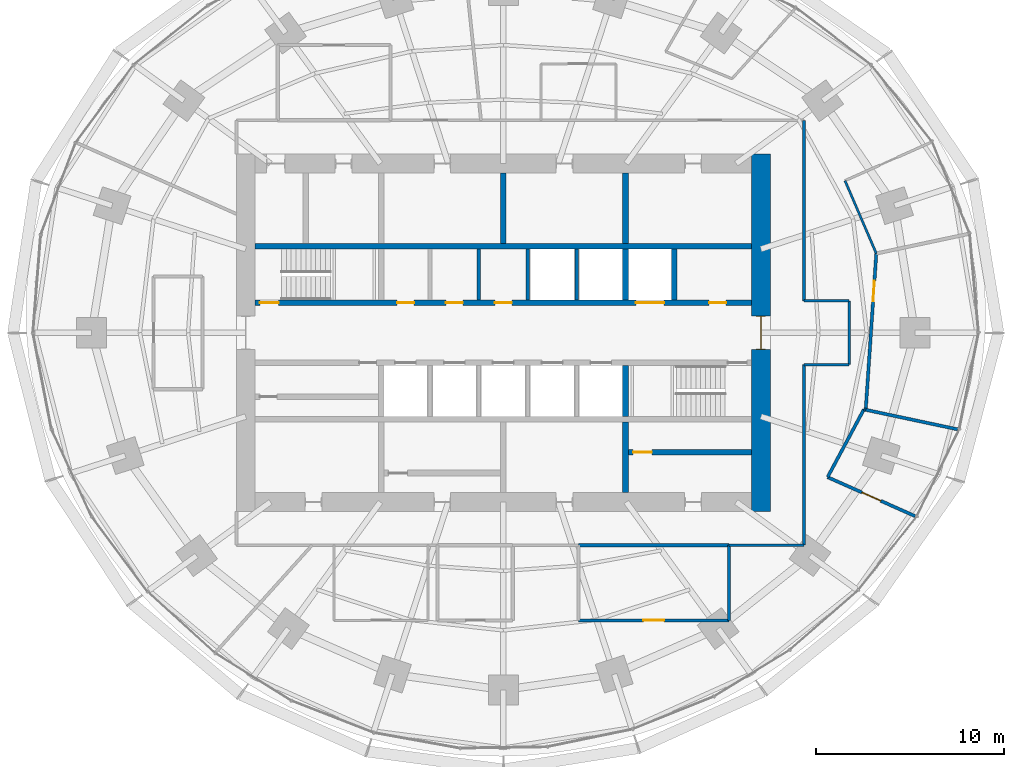
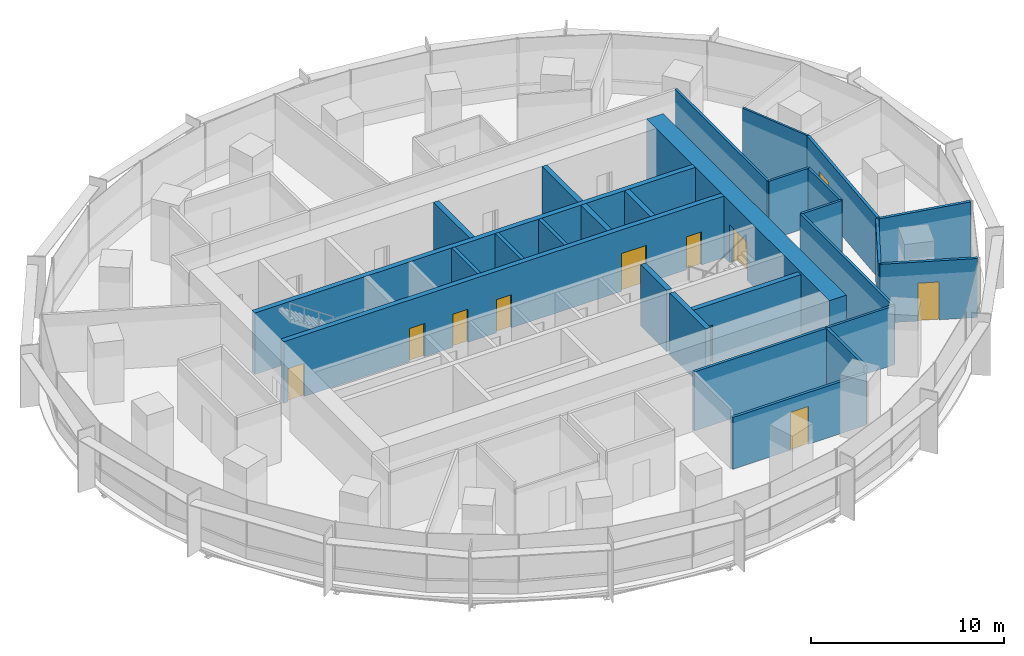
# One storey, part 11 of 14: 28 walls, 11 doors, 11 openings.
"""IFC4 building model written with IfcOpenShell, lengths in metres."""

from ifc_helpers import new_model, si_unit, direction, frame, frame_2d, origin, place, context, subcontext, project, spatial, rectangle, extrude, material, layer, layer_set, type_object, element, fill, save


model = new_model("IFC4")

# Units and contexts
model_context = context("Model", 3, precision=1e-05, world=origin(), true_north=direction((0.0, 1.0)))
body_context = subcontext(model_context, "Body", "Model", "MODEL_VIEW")
ifc_project = project(units=[si_unit("LENGTHUNIT", "METRE"), si_unit("AREAUNIT", "SQUARE_METRE"), si_unit("VOLUMEUNIT", "CUBIC_METRE"), si_unit("PLANEANGLEUNIT", "RADIAN"), si_unit("MASSUNIT", "GRAM", prefix="KILO")], contexts=[model_context])

# Site, building, storey
site_placement = place(None, origin())
site = spatial("IfcSite", under=ifc_project, at=site_placement, CompositionType="ELEMENT")
building_placement = place(site_placement, origin())
building = spatial("IfcBuilding", under=site, at=building_placement, Name="Marramba Exchange Tower", CompositionType="ELEMENT")
storey_placement = place(building_placement, frame((0.0, 0.0, 131.39990234375)))
storey = spatial("IfcBuildingStorey", under=building, at=storey_placement, Name="L31", CompositionType="ELEMENT", Elevation=131.39990234375)

# Wall, opening, door
ifc_material_1 = material(Name="Plasterboard on staggered double steel studs, acoustic insulation", Category="steel")
ifc_layer_1 = layer(ifc_material_1, 0.169921875)
ifc_layer_set_1 = layer_set([ifc_layer_1], Name="Acoustic partition 170")
wall_type_1 = type_object("IfcWallType", Name="Acoustic partition 170", PredefinedType="PARTITIONING", material=ifc_layer_set_1)
wall_1_placement = place(storey_placement, frame((4.0, -15.300048828125, 0.0), z_axis=(0.0, 0.0, 1.0), x_axis=(1.0, 0.0, 0.0)))
wall_1 = element("IfcWall", 1, at=wall_1_placement, inside=storey, type_object=wall_type_1, Name="Acoustic partition L31 14", PredefinedType="PARTITIONING", context=body_context, shape_type="SweptSolid", body=[
    extrude(rectangle(XDim=8.0, YDim=0.169921875, at=frame_2d((4.0, 0.0))), origin(), (0.0, 0.0, 1.0), 3.2861328125),
])
opening_1_placement = place(wall_1_placement, frame((3.449951171875, 0.0, 0.0)))
opening_1 = element("IfcOpeningElement", 2, at=opening_1_placement, cuts=wall_1, Name="Opening D15", PredefinedType="OPENING", context=body_context, shape_type="SweptSolid", body=[
    extrude(rectangle(XDim=1.10009765625, YDim=2.39990234375, at=frame_2d((0.550048828125, 1.199951171875))), frame((0.0, 0.094970703125, 0.0), z_axis=(0.0, -1.0, 0.0), x_axis=(1.0, 0.0, 0.0)), (0.0, 0.0, 1.0), 0.18994140625),
])
ifc_material_2 = material(Name="Timber door", Category="wood")
door_type_1 = type_object("IfcDoorType", Name="Glazed meeting room door 1100x2400", OperationType="SINGLE_SWING_LEFT", PredefinedType="DOOR", material=ifc_material_2)
door_1_placement = place(opening_1_placement, origin())
door_1 = element("IfcDoor", 3, at=door_1_placement, inside=storey, type_object=door_type_1, Name="D15 Meeting Room 3 L31", OperationType="SINGLE_SWING_RIGHT", OverallHeight=2.39990234375, OverallWidth=1.10009765625, PredefinedType="DOOR", context=body_context, shape_type="SweptSolid", body=[
    extrude(rectangle(XDim=1.10009765625, YDim=2.39990234375, at=frame_2d((0.550048828125, 1.199951171875))), frame((0.0, 0.02490234375, 0.0), z_axis=(0.0, -1.0, 0.0), x_axis=(1.0, 0.0, 0.0)), (0.0, 0.0, 1.0), 0.050048828125),
])
fill(opening_1, door_1)

# Walls
wall_2_placement = place(storey_placement, frame((12.0, -11.300048828125, 0.0), z_axis=(0.0, 0.0, 1.0), x_axis=(-1.0, 0.0, 0.0)))
element("IfcWall", 4, at=wall_2_placement, inside=storey, type_object=wall_type_1, Name="Acoustic partition L31 15", PredefinedType="PARTITIONING", context=body_context, shape_type="SweptSolid", body=[
    extrude(rectangle(XDim=8.0, YDim=0.169921875, at=frame_2d((4.0, 0.0))), origin(), (0.0, 0.0, 1.0), 3.739990234375),
])
wall_3_placement = place(storey_placement, frame((12.0, -15.300048828125, 0.0), z_axis=(0.0, 0.0, 1.0), x_axis=(0.0, 1.0, 0.0)))
element("IfcWall", 5, at=wall_3_placement, inside=storey, type_object=wall_type_1, Name="Acoustic partition L31 16", PredefinedType="PARTITIONING", context=body_context, shape_type="SweptSolid", body=[
    extrude(rectangle(XDim=4.0, YDim=0.169921875, at=frame_2d((2.0, 0.0))), origin(), (0.0, 0.0, 1.0), 3.739990234375),
])

# Wall, opening, door
wall_4_placement = place(storey_placement, frame((17.24951171875, -7.679931640625, 0.0), z_axis=(0.0, 0.0, 1.0), x_axis=(0.913540908219, -0.406746861095, 0.0)))
wall_4 = element("IfcWall", 6, at=wall_4_placement, inside=storey, type_object=wall_type_1, Name="Acoustic partition L31 18", PredefinedType="PARTITIONING", context=body_context, shape_type="SweptSolid", body=[
    extrude(rectangle(XDim=5.10009765625, YDim=0.169921875, at=frame_2d((2.550048828125, 0.0))), origin(), (0.0, 0.0, 1.0), 3.739990234375),
])
opening_2_placement = place(wall_4_placement, frame((2.0, 0.0, 0.0)))
opening_2 = element("IfcOpeningElement", 7, at=opening_2_placement, cuts=wall_4, Name="Opening D15", PredefinedType="OPENING", context=body_context, shape_type="SweptSolid", body=[
    extrude(rectangle(XDim=1.10009765625, YDim=2.39990234375, at=frame_2d((0.550048828125, 1.199951171875))), frame((0.0, 0.094970703125, 0.0), z_axis=(0.0, -1.0, 0.0), x_axis=(1.0, 0.0, 0.0)), (0.0, 0.0, 1.0), 0.18994140625),
])
door_2_placement = place(opening_2_placement, origin())
door_2 = element("IfcDoor", 8, at=door_2_placement, inside=storey, type_object=door_type_1, Name="D15 Meeting Room 1 L31", OperationType="SINGLE_SWING_LEFT", OverallHeight=2.39990234375, OverallWidth=1.10009765625, PredefinedType="DOOR", context=body_context, shape_type="SweptSolid", body=[
    extrude(rectangle(XDim=1.10009765625, YDim=2.39990234375, at=frame_2d((0.550048828125, 1.199951171875))), frame((0.0, 0.02490234375, 0.0), z_axis=(0.0, -1.0, 0.0), x_axis=(1.0, 0.0, 0.0)), (0.0, 0.0, 1.0), 0.050048828125),
])
fill(opening_2, door_2)

# Walls
wall_5_placement = place(storey_placement, frame((19.179443359375, -4.07666015625, 0.0), z_axis=(0.0, 0.0, 1.0), x_axis=(-0.472146825295, -0.881519923407, 0.0)))
element("IfcWall", 9, at=wall_5_placement, inside=storey, type_object=wall_type_1, Name="Acoustic partition L31 20", PredefinedType="PARTITIONING", context=body_context, shape_type="SweptSolid", body=[
    extrude(rectangle(XDim=4.087646484375, YDim=0.169921875, at=frame_2d((2.0439453125, 0.0))), origin(), (0.0, 0.0, 1.0), 3.739990234375),
])
wall_6_placement = place(storey_placement, frame((19.277099609375, -4.097412109375, 0.0), z_axis=(0.0, 0.0, 1.0), x_axis=(-0.978158850918, 0.20785875582, 0.0)))
element("IfcWall", 10, at=wall_6_placement, inside=storey, type_object=wall_type_1, Name="Acoustic partition L31 21", PredefinedType="PARTITIONING", context=body_context, shape_type="SweptSolid", body=[
    extrude(rectangle(XDim=0.099853515625, YDim=0.169921875, at=frame_2d((0.0498046875, 0.0))), origin(), (0.0, 0.0, 1.0), 3.739990234375),
])
wall_7_placement = place(storey_placement, frame((19.277099609375, -4.097412109375, 0.0), z_axis=(0.0, 0.0, 1.0), x_axis=(0.978149046495, -0.207904888932, 0.0)))
element("IfcWall", 11, at=wall_7_placement, inside=storey, type_object=wall_type_1, Name="Acoustic partition L31 22", PredefinedType="PARTITIONING", context=body_context, shape_type="SweptSolid", body=[
    extrude(rectangle(XDim=5.000244140625, YDim=0.169921875, at=frame_2d((2.5, 0.0))), origin(), (0.0, 0.0, 1.0), 3.739990234375),
])

# Wall, opening, door
wall_8_placement = place(storey_placement, frame((19.839599609375, 4.217041015625, 0.0), z_axis=(0.0, 0.0, 1.0), x_axis=(-0.067498983032, -0.997719342947, 0.0)))
wall_8 = element("IfcWall", 12, at=wall_8_placement, inside=storey, type_object=wall_type_1, Name="Acoustic partition L31 25", PredefinedType="PARTITIONING", context=body_context, shape_type="SweptSolid", body=[
    extrude(rectangle(XDim=8.33349609375, YDim=0.169921875, at=frame_2d((4.166748046875, 0.0))), origin(), (0.0, 0.0, 1.0), 3.739990234375),
])
opening_3_placement = place(wall_8_placement, frame((1.4560546875, 0.0, 0.0)))
opening_3 = element("IfcOpeningElement", 13, at=opening_3_placement, cuts=wall_8, Name="Opening D15", PredefinedType="OPENING", context=body_context, shape_type="SweptSolid", body=[
    extrude(rectangle(XDim=1.10009765625, YDim=2.39990234375, at=frame_2d((0.550048828125, 1.199951171875))), frame((0.0, 0.094970703125, 0.0), z_axis=(0.0, -1.0, 0.0), x_axis=(1.0, 0.0, 0.0)), (0.0, 0.0, 1.0), 0.18994140625),
])
door_3_placement = place(opening_3_placement, origin())
door_3 = element("IfcDoor", 14, at=door_3_placement, inside=storey, type_object=door_type_1, Name="D15 Meeting Room 2 L31", OperationType="SINGLE_SWING_LEFT", OverallHeight=2.39990234375, OverallWidth=1.10009765625, PredefinedType="DOOR", context=body_context, shape_type="SweptSolid", body=[
    extrude(rectangle(XDim=1.10009765625, YDim=2.39990234375, at=frame_2d((0.550048828125, 1.199951171875))), frame((0.0, 0.02490234375, 0.0), z_axis=(0.0, -1.0, 0.0), x_axis=(1.0, 0.0, 0.0)), (0.0, 0.0, 1.0), 0.050048828125),
])
fill(opening_3, door_3)

# Walls
ifc_material_3 = material(Name="Concrete N50", Category="concrete")
ifc_layer_2 = layer(ifc_material_3, 0.199951171875)
ifc_layer_set_2 = layer_set([ifc_layer_2], Name="Core shaft wall 200")
wall_type_2 = type_object("IfcWallType", Name="Core shaft wall 200", PredefinedType="SHEAR", material=ifc_layer_set_2)
for number, where, z_axis, x_axis, name in (
    (15, (-1.300048828125, 1.75, 0.0), (0.0, 0.0, 1.0), (0.0, 1.0, 0.0), "Core wall SHN2 L31"),
    (16, (1.300048828125, 1.75, 0.0), (0.0, 0.0, 1.0), (0.0, 1.0, 0.0), "Core wall SHN3 L31"),
    (17, (3.89990234375, 1.75, 0.0), (0.0, 0.0, 1.0), (0.0, 1.0, 0.0), "Core wall SHN4 L31"),
):
    element("IfcWall", number, at=place(storey_placement, frame(where, z_axis=z_axis, x_axis=x_axis)), inside=storey, type_object=wall_type_2, Name=name, PredefinedType="SHEAR", context=body_context, shape_type="SweptSolid", body=[
        extrude(rectangle(XDim=2.699951171875, YDim=0.199951171875, at=frame_2d((1.35009765625, 0.0))), origin(), (0.0, 0.0, 1.0), 3.900146484375),
    ])

# Wall, opening, door
ifc_layer_3 = layer(ifc_material_3, 1.0)
ifc_layer_set_3 = layer_set([ifc_layer_3], Name="Core wall 1000")
wall_type_3 = type_object("IfcWallType", Name="Core wall 1000", PredefinedType="SHEAR", material=ifc_layer_set_3)
wall_9_placement = place(storey_placement, frame((13.699951171875, -9.5, 0.0), z_axis=(0.0, 0.0, 1.0), x_axis=(0.0, 1.0, 0.0)))
wall_9 = element("IfcWall", 18, at=wall_9_placement, inside=storey, type_object=wall_type_3, Name="Core wall E L31", PredefinedType="SHEAR", context=body_context, shape_type="SweptSolid", body=[
    extrude(rectangle(XDim=19.0, YDim=1.0, at=frame_2d((9.5, 0.0))), origin(), (0.0, 0.0, 1.0), 3.900146484375),
])
opening_4_placement = place(wall_9_placement, frame((8.60009765625, 0.0, 0.0)))
opening_4 = element("IfcOpeningElement", 19, at=opening_4_placement, cuts=wall_9, Name="Opening D1", PredefinedType="OPENING", context=body_context, shape_type="SweptSolid", body=[
    extrude(rectangle(XDim=1.800048828125, YDim=2.39990234375, at=frame_2d((0.89990234375, 1.199951171875))), frame((0.0, 0.510009765625, 0.0), z_axis=(0.0, -1.0, 0.0), x_axis=(1.0, 0.0, 0.0)), (0.0, 0.0, 1.0), 1.02001953125),
])
ifc_material_4 = material(Name="Steel-framed door", Category="steel")
door_type_2 = type_object("IfcDoorType", Name="Lobby exit door 1800x2400", OperationType="DOUBLE_DOOR_SINGLE_SWING", PredefinedType="DOOR", material=ifc_material_4)
door_4_placement = place(opening_4_placement, origin())
door_4 = element("IfcDoor", 20, at=door_4_placement, inside=storey, type_object=door_type_2, Name="D1 lobby exit east L31", OperationType="DOUBLE_DOOR_SINGLE_SWING", OverallHeight=2.39990234375, OverallWidth=1.800048828125, PredefinedType="DOOR", context=body_context, shape_type="SweptSolid", body=[
    extrude(rectangle(XDim=1.719970703125, YDim=2.35986328125, at=frame_2d((0.89990234375, 1.179931640625))), frame((0.0, 0.02490234375, 0.0), z_axis=(0.0, -1.0, 0.0), x_axis=(1.0, 0.0, 0.0)), (0.0, 0.0, 1.0), 0.050048828125),
    extrude(rectangle(XDim=0.04, YDim=2.39990234375, at=frame_2d((0.02001953125, 1.199951171875))), frame((0.0, 0.25, 0.0), z_axis=(0.0, -1.0, 0.0), x_axis=(1.0, 0.0, 0.0)), (0.0, 0.0, 1.0), 0.5),
    extrude(rectangle(XDim=0.04, YDim=2.39990234375, at=frame_2d((1.780029296875, 1.199951171875))), frame((0.0, 0.25, 0.0), z_axis=(0.0, -1.0, 0.0), x_axis=(1.0, 0.0, 0.0)), (0.0, 0.0, 1.0), 0.5),
    extrude(rectangle(XDim=1.719970703125, YDim=0.04, at=frame_2d((0.89990234375, 2.3798828125))), frame((0.0, 0.25, 0.0), z_axis=(0.0, -1.0, 0.0), x_axis=(1.0, 0.0, 0.0)), (0.0, 0.0, 1.0), 0.5),
])
fill(opening_4, door_4)

# Wall, openings, doors
ifc_layer_4 = layer(ifc_material_3, 0.300048828125)
ifc_layer_set_4 = layer_set([ifc_layer_4], Name="Core wall 300")
wall_type_4 = type_object("IfcWallType", Name="Core wall 300", PredefinedType="SHEAR", material=ifc_layer_set_4)
wall_10_placement = place(storey_placement, frame((-13.199951171875, 1.60009765625, 0.0), z_axis=(0.0, 0.0, 1.0), x_axis=(1.0, 0.0, 0.0)))
wall_10 = element("IfcWall", 21, at=wall_10_placement, inside=storey, type_object=wall_type_4, Name="Core wall LN L31", PredefinedType="SHEAR", context=body_context, shape_type="SweptSolid", body=[
    extrude(rectangle(XDim=26.39990234375, YDim=0.300048828125, at=frame_2d((13.199951171875, 0.0))), origin(), (0.0, 0.0, 1.0), 3.900146484375),
])
opening_5_placement = place(wall_10_placement, frame((0.25, 0.0, 0.0)))
opening_5 = element("IfcOpeningElement", 22, at=opening_5_placement, cuts=wall_10, Name="Opening D2", PredefinedType="OPENING", context=body_context, shape_type="SweptSolid", body=[
    extrude(rectangle(XDim=1.0, YDim=2.10009765625, at=frame_2d((0.5, 1.050048828125))), frame((0.0, 0.159912109375, 0.0), z_axis=(0.0, -1.0, 0.0), x_axis=(1.0, 0.0, 0.0)), (0.0, 0.0, 1.0), 0.320068359375),
])
opening_6_placement = place(wall_10_placement, frame((20.25, 0.0, 0.0)))
opening_6 = element("IfcOpeningElement", 23, at=opening_6_placement, cuts=wall_10, Name="Opening LD3", PredefinedType="OPENING", context=body_context, shape_type="SweptSolid", body=[
    extrude(rectangle(XDim=1.5, YDim=2.39990234375, at=frame_2d((0.75, 1.199951171875))), frame((0.0, 0.159912109375, 0.0), z_axis=(0.0, -1.0, 0.0), x_axis=(1.0, 0.0, 0.0)), (0.0, 0.0, 1.0), 0.320068359375),
])
opening_7_placement = place(wall_10_placement, frame((7.550048828125, 0.0, 0.0)))
opening_7 = element("IfcOpeningElement", 24, at=opening_7_placement, cuts=wall_10, Name="Opening D5", PredefinedType="OPENING", context=body_context, shape_type="SweptSolid", body=[
    extrude(rectangle(XDim=0.89990234375, YDim=2.10009765625, at=frame_2d((0.449951171875, 1.050048828125))), frame((0.0, 0.159912109375, 0.0), z_axis=(0.0, -1.0, 0.0), x_axis=(1.0, 0.0, 0.0)), (0.0, 0.0, 1.0), 0.320068359375),
])
opening_8_placement = place(wall_10_placement, frame((10.14990234375, 0.0, 0.0)))
opening_8 = element("IfcOpeningElement", 25, at=opening_8_placement, cuts=wall_10, Name="Opening D5", PredefinedType="OPENING", context=body_context, shape_type="SweptSolid", body=[
    extrude(rectangle(XDim=0.89990234375, YDim=2.10009765625, at=frame_2d((0.449951171875, 1.050048828125))), frame((0.0, 0.159912109375, 0.0), z_axis=(0.0, -1.0, 0.0), x_axis=(1.0, 0.0, 0.0)), (0.0, 0.0, 1.0), 0.320068359375),
])
opening_9_placement = place(wall_10_placement, frame((12.75, 0.0, 0.0)))
opening_9 = element("IfcOpeningElement", 26, at=opening_9_placement, cuts=wall_10, Name="Opening D5", PredefinedType="OPENING", context=body_context, shape_type="SweptSolid", body=[
    extrude(rectangle(XDim=0.89990234375, YDim=2.10009765625, at=frame_2d((0.449951171875, 1.050048828125))), frame((0.0, 0.159912109375, 0.0), z_axis=(0.0, -1.0, 0.0), x_axis=(1.0, 0.0, 0.0)), (0.0, 0.0, 1.0), 0.320068359375),
])
opening_10_placement = place(wall_10_placement, frame((24.14990234375, 0.0, 0.0)))
opening_10 = element("IfcOpeningElement", 27, at=opening_10_placement, cuts=wall_10, Name="Opening D5", PredefinedType="OPENING", context=body_context, shape_type="SweptSolid", body=[
    extrude(rectangle(XDim=0.89990234375, YDim=2.10009765625, at=frame_2d((0.449951171875, 1.050048828125))), frame((0.0, 0.159912109375, 0.0), z_axis=(0.0, -1.0, 0.0), x_axis=(1.0, 0.0, 0.0)), (0.0, 0.0, 1.0), 0.320068359375),
])
door_type_3 = type_object("IfcDoorType", Name="Goods lift landing door 1500x2400", OperationType="SLIDING_TO_LEFT", PredefinedType="DOOR", material=ifc_material_4)
door_5_placement = place(opening_6_placement, origin())
door_5 = element("IfcDoor", 28, at=door_5_placement, inside=storey, type_object=door_type_3, Name="GL1 landing door L31", OperationType="SLIDING_TO_LEFT", OverallHeight=2.39990234375, OverallWidth=1.5, PredefinedType="DOOR", context=body_context, shape_type="SweptSolid", body=[
    extrude(rectangle(XDim=1.5, YDim=2.39990234375, at=frame_2d((0.75, 1.199951171875))), frame((0.0, 0.02490234375, 0.0), z_axis=(0.0, -1.0, 0.0), x_axis=(1.0, 0.0, 0.0)), (0.0, 0.0, 1.0), 0.050048828125),
])
fill(opening_6, door_5)
door_type_4 = type_object("IfcDoorType", Name="Service door 900x2100", OperationType="SINGLE_SWING_LEFT", PredefinedType="DOOR", material=ifc_material_4)
door_6_placement = place(opening_7_placement, origin())
door_6 = element("IfcDoor", 29, at=door_6_placement, inside=storey, type_object=door_type_4, Name="D5 switch room L31", OperationType="SINGLE_SWING_RIGHT", OverallHeight=2.10009765625, OverallWidth=0.89990234375, PredefinedType="DOOR", context=body_context, shape_type="SweptSolid", body=[
    extrude(rectangle(XDim=0.89990234375, YDim=2.10009765625, at=frame_2d((0.449951171875, 1.050048828125))), frame((0.0, 0.02490234375, 0.0), z_axis=(0.0, -1.0, 0.0), x_axis=(1.0, 0.0, 0.0)), (0.0, 0.0, 1.0), 0.050048828125),
])
fill(opening_7, door_6)
door_7_placement = place(opening_8_placement, origin())
door_7 = element("IfcDoor", 30, at=door_7_placement, inside=storey, type_object=door_type_4, Name="D5 cleaner store L31", OperationType="SINGLE_SWING_RIGHT", OverallHeight=2.10009765625, OverallWidth=0.89990234375, PredefinedType="DOOR", context=body_context, shape_type="SweptSolid", body=[
    extrude(rectangle(XDim=0.89990234375, YDim=2.10009765625, at=frame_2d((0.449951171875, 1.050048828125))), frame((0.0, 0.02490234375, 0.0), z_axis=(0.0, -1.0, 0.0), x_axis=(1.0, 0.0, 0.0)), (0.0, 0.0, 1.0), 0.050048828125),
])
fill(opening_8, door_7)
door_8_placement = place(opening_9_placement, origin())
door_8 = element("IfcDoor", 31, at=door_8_placement, inside=storey, type_object=door_type_4, Name="D5 general store L31", OperationType="SINGLE_SWING_RIGHT", OverallHeight=2.10009765625, OverallWidth=0.89990234375, PredefinedType="DOOR", context=body_context, shape_type="SweptSolid", body=[
    extrude(rectangle(XDim=0.89990234375, YDim=2.10009765625, at=frame_2d((0.449951171875, 1.050048828125))), frame((0.0, 0.02490234375, 0.0), z_axis=(0.0, -1.0, 0.0), x_axis=(1.0, 0.0, 0.0)), (0.0, 0.0, 1.0), 0.050048828125),
])
fill(opening_9, door_8)
door_9_placement = place(opening_10_placement, origin())
door_9 = element("IfcDoor", 32, at=door_9_placement, inside=storey, type_object=door_type_4, Name="D5 riser L31", OperationType="SINGLE_SWING_RIGHT", OverallHeight=2.10009765625, OverallWidth=0.89990234375, PredefinedType="DOOR", context=body_context, shape_type="SweptSolid", body=[
    extrude(rectangle(XDim=0.89990234375, YDim=2.10009765625, at=frame_2d((0.449951171875, 1.050048828125))), frame((0.0, 0.02490234375, 0.0), z_axis=(0.0, -1.0, 0.0), x_axis=(1.0, 0.0, 0.0)), (0.0, 0.0, 1.0), 0.050048828125),
])
fill(opening_10, door_9)
door_type_5 = type_object("IfcDoorType", Name="Stair door 1000x2100", OperationType="SINGLE_SWING_LEFT", PredefinedType="DOOR", material=ifc_material_4)
door_10_placement = place(opening_5_placement, origin())
door_10 = element("IfcDoor", 33, at=door_10_placement, inside=storey, type_object=door_type_5, Name="D2 stair ST1 L31", OperationType="SINGLE_SWING_LEFT", OverallHeight=2.10009765625, OverallWidth=1.0, PredefinedType="DOOR", context=body_context, shape_type="SweptSolid", body=[
    extrude(rectangle(XDim=1.0, YDim=2.10009765625, at=frame_2d((0.5, 1.050048828125))), frame((0.0, 0.02490234375, 0.0), z_axis=(0.0, -1.0, 0.0), x_axis=(1.0, 0.0, 0.0)), (0.0, 0.0, 1.0), 0.050048828125),
])
fill(opening_5, door_10)

# Walls
wall_11_placement = place(storey_placement, frame((-13.199951171875, 4.60009765625, 0.0), z_axis=(0.0, 0.0, 1.0), x_axis=(1.0, 0.0, 0.0)))
element("IfcWall", 34, at=wall_11_placement, inside=storey, type_object=wall_type_4, Name="Core wall BN L31", PredefinedType="SHEAR", context=body_context, shape_type="SweptSolid", body=[
    extrude(rectangle(XDim=26.39990234375, YDim=0.300048828125, at=frame_2d((13.199951171875, 0.0))), origin(), (0.0, 0.0, 1.0), 3.900146484375),
])
wall_12_placement = place(storey_placement, frame((6.5, 1.75, 0.0), z_axis=(0.0, 0.0, 1.0), x_axis=(0.0, 1.0, 0.0)))
element("IfcWall", 35, at=wall_12_placement, inside=storey, type_object=wall_type_4, Name="Core wall X1Na L31", PredefinedType="SHEAR", context=body_context, shape_type="SweptSolid", body=[
    extrude(rectangle(XDim=2.699951171875, YDim=0.300048828125, at=frame_2d((1.35009765625, 0.0))), origin(), (0.0, 0.0, 1.0), 3.900146484375),
])
for number, where, z_axis, x_axis, name in (
    (36, (6.5, 4.75, 0.0), (0.0, 0.0, 1.0), (0.0, 1.0, 0.0), "Core wall X1Nb L31"),
    (37, (0.0, 4.75, 0.0), (0.0, 0.0, 1.0), (0.0, 1.0, 0.0), "Core wall MN L31"),
):
    element("IfcWall", number, at=place(storey_placement, frame(where, z_axis=z_axis, x_axis=x_axis)), inside=storey, type_object=wall_type_4, Name=name, PredefinedType="SHEAR", context=body_context, shape_type="SweptSolid", body=[
        extrude(rectangle(XDim=3.75, YDim=0.300048828125, at=frame_2d((1.875, 0.0))), origin(), (0.0, 0.0, 1.0), 3.900146484375),
    ])
wall_13_placement = place(storey_placement, frame((6.5, -1.75, 0.0), z_axis=(0.0, 0.0, 1.0), x_axis=(0.0, -1.0, 0.0)))
element("IfcWall", 38, at=wall_13_placement, inside=storey, type_object=wall_type_4, Name="Core wall X1Sa L31", PredefinedType="SHEAR", context=body_context, shape_type="SweptSolid", body=[
    extrude(rectangle(XDim=2.699951171875, YDim=0.300048828125, at=frame_2d((1.35009765625, 0.0))), origin(), (0.0, 0.0, 1.0), 3.900146484375),
])
wall_14_placement = place(storey_placement, frame((6.5, -4.75, 0.0), z_axis=(0.0, 0.0, 1.0), x_axis=(0.0, -1.0, 0.0)))
element("IfcWall", 39, at=wall_14_placement, inside=storey, type_object=wall_type_4, Name="Core wall X1Sb L31", PredefinedType="SHEAR", context=body_context, shape_type="SweptSolid", body=[
    extrude(rectangle(XDim=3.75, YDim=0.300048828125, at=frame_2d((1.875, 0.0))), origin(), (0.0, 0.0, 1.0), 3.900146484375),
])
wall_15_placement = place(storey_placement, frame((9.10009765625, 1.75, 0.0), z_axis=(0.0, 0.0, 1.0), x_axis=(0.0, 1.0, 0.0)))
element("IfcWall", 40, at=wall_15_placement, inside=storey, type_object=wall_type_4, Name="Core wall ED L31", PredefinedType="SHEAR", context=body_context, shape_type="SweptSolid", body=[
    extrude(rectangle(XDim=2.699951171875, YDim=0.300048828125, at=frame_2d((1.35009765625, 0.0))), origin(), (0.0, 0.0, 1.0), 3.900146484375),
])
ifc_material_5 = material(Name="Plasterboard on steel studs", Category="steel")
ifc_layer_5 = layer(ifc_material_5, 0.1201171875)
ifc_layer_set_5 = layer_set([ifc_layer_5], Name="Partition 120")
wall_type_5 = type_object("IfcWallType", Name="Partition 120", PredefinedType="PARTITIONING", material=ifc_layer_set_5)
wall_16_placement = place(storey_placement, frame((18.174560546875, 8.091796875, 0.0), z_axis=(0.0, 0.0, 1.0), x_axis=(0.394806421401, -0.918764327573, 0.0)))
element("IfcWall", 41, at=wall_16_placement, inside=storey, type_object=wall_type_5, Name="Partition L31 28", PredefinedType="PARTITIONING", context=body_context, shape_type="SweptSolid", body=[
    extrude(rectangle(XDim=4.21728515625, YDim=0.1201171875, at=frame_2d((2.108642578125, 0.0))), origin(), (0.0, 0.0, 1.0), 3.739990234375),
])

# Wall, opening, door
ifc_material_6 = material(Name="Plasterboard on steel studs, insulated, unrated", Category="steel")
ifc_layer_6 = layer(ifc_material_6, 0.300048828125)
ifc_layer_set_6 = layer_set([ifc_layer_6], Name="Store partition 300")
wall_type_6 = type_object("IfcWallType", Name="Store partition 300", PredefinedType="PARTITIONING", material=ifc_layer_set_6)
wall_17_placement = place(storey_placement, frame((6.64990234375, -6.360107421875, 0.0), z_axis=(0.0, 0.0, 1.0), x_axis=(1.0, 0.0, 0.0)))
wall_17 = element("IfcWall", 42, at=wall_17_placement, inside=storey, type_object=wall_type_6, Name="Store partition L31 cstore", PredefinedType="PARTITIONING", context=body_context, shape_type="SweptSolid", body=[
    extrude(rectangle(XDim=6.550048828125, YDim=0.300048828125, at=frame_2d((3.27490234375, 0.0))), origin(), (0.0, 0.0, 1.0), 3.739990234375),
])
opening_11_placement = place(wall_17_placement, frame((0.25, 0.0, 0.0)))
opening_11 = element("IfcOpeningElement", 43, at=opening_11_placement, cuts=wall_17, Name="Opening D9", PredefinedType="OPENING", context=body_context, shape_type="SweptSolid", body=[
    extrude(rectangle(XDim=1.0, YDim=2.39990234375, at=frame_2d((0.5, 1.199951171875))), frame((0.0, 0.159912109375, 0.0), z_axis=(0.0, -1.0, 0.0), x_axis=(1.0, 0.0, 0.0)), (0.0, 0.0, 1.0), 0.320068359375),
])
door_type_6 = type_object("IfcDoorType", Name="Room door 1000x2400", OperationType="SINGLE_SWING_LEFT", PredefinedType="DOOR", material=ifc_material_2)
door_11_placement = place(opening_11_placement, origin())
door_11 = element("IfcDoor", 44, at=door_11_placement, inside=storey, type_object=door_type_6, Name="D9 general store L31", OperationType="SINGLE_SWING_LEFT", OverallHeight=2.39990234375, OverallWidth=1.0, PredefinedType="DOOR", context=body_context, shape_type="SweptSolid", body=[
    extrude(rectangle(XDim=1.0, YDim=2.39990234375, at=frame_2d((0.5, 1.199951171875))), frame((0.0, 0.02490234375, 0.0), z_axis=(0.0, -1.0, 0.0), x_axis=(1.0, 0.0, 0.0)), (0.0, 0.0, 1.0), 0.050048828125),
])
fill(opening_11, door_11)

# Walls
ifc_material_7 = material(Name="Fire-rated plasterboard on steel studs, acoustic insulation", Category="steel")
ifc_layer_7 = layer(ifc_material_7, 0.14990234375)
ifc_layer_set_7 = layer_set([ifc_layer_7], Name="Tenancy wall 150")
wall_type_7 = type_object("IfcWallType", Name="Tenancy wall 150", PredefinedType="PARTITIONING", material=ifc_layer_set_7)
wall_18_placement = place(storey_placement, frame((12.0, -11.300048828125, 0.0), z_axis=(0.0, 0.0, 1.0), x_axis=(1.0, 0.0, 0.0)))
element("IfcWall", 45, at=wall_18_placement, inside=storey, type_object=wall_type_7, Name="Tenancy wall L31 17", PredefinedType="PARTITIONING", context=body_context, shape_type="SweptSolid", body=[
    extrude(rectangle(XDim=4.0, YDim=0.14990234375, at=frame_2d((2.0, 0.0))), origin(), (0.0, 0.0, 1.0), 3.739990234375),
])
wall_19_placement = place(storey_placement, frame((16.0, -11.300048828125, 0.0), z_axis=(0.0, 0.0, 1.0), x_axis=(0.0, 1.0, 0.0)))
element("IfcWall", 46, at=wall_19_placement, inside=storey, type_object=wall_type_7, Name="Tenancy wall L31 19", PredefinedType="PARTITIONING", context=body_context, shape_type="SweptSolid", body=[
    extrude(rectangle(XDim=9.60009765625, YDim=0.14990234375, at=frame_2d((4.800048828125, 0.0))), origin(), (0.0, 0.0, 1.0), 3.739990234375),
])
wall_20_placement = place(storey_placement, frame((16.0, -1.699951171875, 0.0), z_axis=(0.0, 0.0, 1.0), x_axis=(1.0, 0.0, 0.0)))
element("IfcWall", 47, at=wall_20_placement, inside=storey, type_object=wall_type_7, Name="Tenancy wall L31 23", PredefinedType="PARTITIONING", context=body_context, shape_type="SweptSolid", body=[
    extrude(rectangle(XDim=2.39990234375, YDim=0.14990234375, at=frame_2d((1.199951171875, 0.0))), origin(), (0.0, 0.0, 1.0), 3.739990234375),
])
wall_21_placement = place(storey_placement, frame((18.39990234375, -1.699951171875, 0.0), z_axis=(0.0, 0.0, 1.0), x_axis=(0.0, 1.0, 0.0)))
element("IfcWall", 48, at=wall_21_placement, inside=storey, type_object=wall_type_7, Name="Tenancy wall L31 24", PredefinedType="PARTITIONING", context=body_context, shape_type="SweptSolid", body=[
    extrude(rectangle(XDim=3.39990234375, YDim=0.14990234375, at=frame_2d((1.699951171875, 0.0))), origin(), (0.0, 0.0, 1.0), 3.739990234375),
])
wall_22_placement = place(storey_placement, frame((18.39990234375, 1.699951171875, 0.0), z_axis=(0.0, 0.0, 1.0), x_axis=(-1.0, 0.0, 0.0)))
element("IfcWall", 49, at=wall_22_placement, inside=storey, type_object=wall_type_7, Name="Tenancy wall L31 26", PredefinedType="PARTITIONING", context=body_context, shape_type="SweptSolid", body=[
    extrude(rectangle(XDim=2.39990234375, YDim=0.14990234375, at=frame_2d((1.199951171875, 0.0))), origin(), (0.0, 0.0, 1.0), 3.739990234375),
])
wall_23_placement = place(storey_placement, frame((16.0, 1.699951171875, 0.0), z_axis=(0.0, 0.0, 1.0), x_axis=(0.0, 1.0, 0.0)))
element("IfcWall", 50, at=wall_23_placement, inside=storey, type_object=wall_type_7, Name="Tenancy wall L31 29", PredefinedType="PARTITIONING", context=body_context, shape_type="SweptSolid", body=[
    extrude(rectangle(XDim=9.60009765625, YDim=0.14990234375, at=frame_2d((4.800048828125, 0.0))), origin(), (0.0, 0.0, 1.0), 3.739990234375),
])

save(model, "model.ifc")
